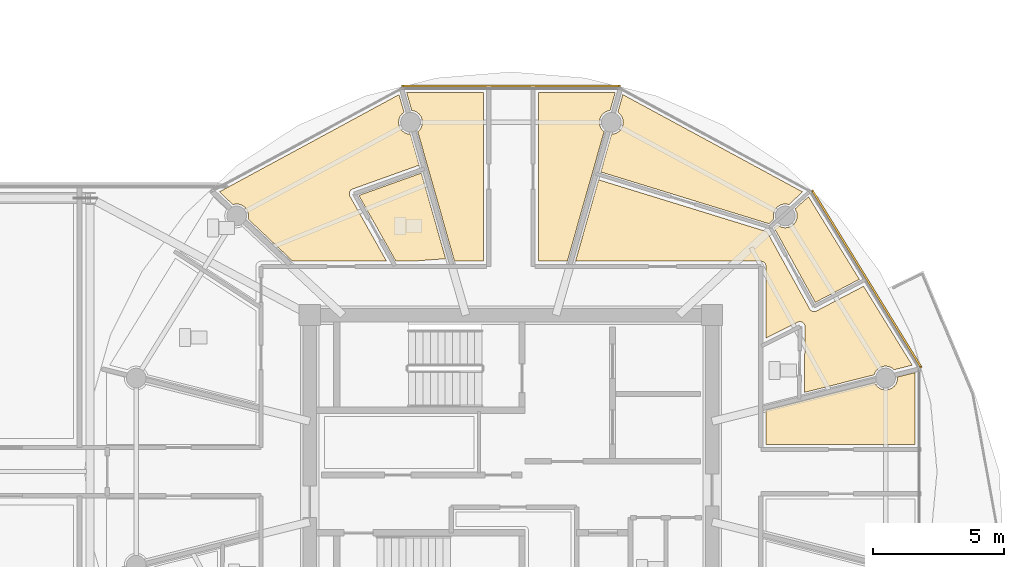
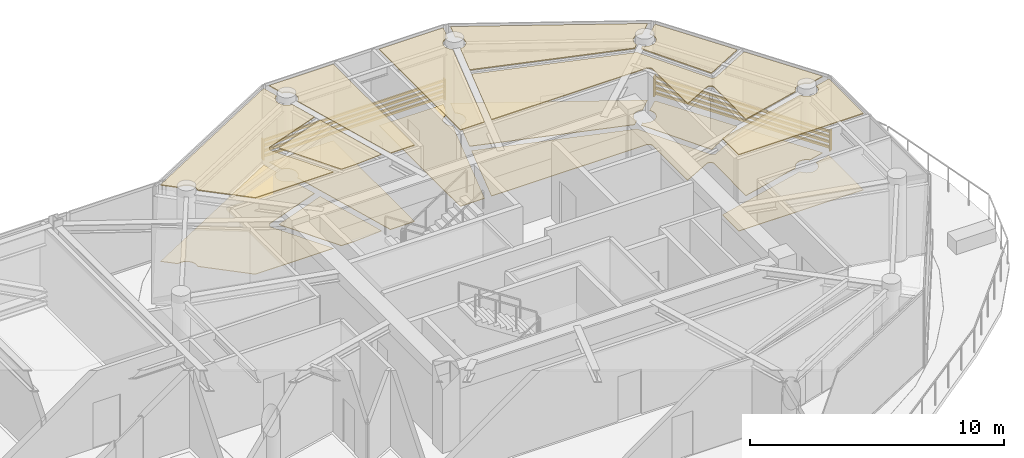
# One storey, part 29 of 31: 16 coverings, 2 shading devices.
"""IFC4 building model written with IfcOpenShell, lengths in metres."""

import ifcopenshell
import ifcopenshell.guid

model = None  # the IFC model being written
_history = None  # IfcOwnerHistory: only IFC2X3 demands one
_inside = {}  # id of a spatial element -> (the spatial element, [elements in it])
_under = {}  # id of a project, library or spatial element -> (it, [spatial elements below it])
_declared = {}  # id of a project -> (the project, [libraries it declares])
_typed = {}  # id of a type object -> (the type object, [elements of that type])
_made_of = {}  # id of a material, layer set ... -> (it, [elements and type objects made of it])


def new_model(schema):
    """Start an empty IFC model of exactly this schema.

    Asked for "IFC4X3", IfcOpenShell would pick the latest addendum, in which some entities
    have other attributes; the version numbers below select the first issue.
    IFC2X3 requires an IfcOwnerHistory on every rooted entity: one is made here for all.
    """
    global model, _history
    if schema == "IFC4X3":
        model = ifcopenshell.file(schema_version=(4, 3, 0, 0))
    else:
        model = ifcopenshell.file(schema=schema)
    _inside.clear()
    _under.clear()
    _declared.clear()
    _typed.clear()
    _made_of.clear()
    _history = None
    if model.schema == "IFC2X3":
        org = make("IfcOrganization", Name="unknown")
        user = make(
            "IfcPersonAndOrganization",
            ThePerson=make("IfcPerson", FamilyName="unknown"),
            TheOrganization=org,
        )
        app = make(
            "IfcApplication",
            ApplicationDeveloper=org,
            Version="unknown",
            ApplicationFullName="unknown",
            ApplicationIdentifier="unknown",
        )
        _history = make(
            "IfcOwnerHistory",
            OwningUser=user,
            OwningApplication=app,
            ChangeAction="ADDED",
            CreationDate=0,
        )
    return model


def make(cls, **values):
    """One entity of the class cls with the attributes given. An attribute that is None is left unset."""
    return model.create_entity(
        cls, **{name: value for name, value in values.items() if value is not None}
    )


def rooted(cls, **values):
    """An entity with a GlobalId (a new one), such as an element, a storey or a relation."""
    return make(cls, GlobalId=ifcopenshell.guid.new(), OwnerHistory=_history, **values)


def si_unit(unit_type, name, prefix=None):
    """IfcSIUnit, for example si_unit("LENGTHUNIT", "METRE", prefix="MILLI")."""
    return make("IfcSIUnit", UnitType=unit_type, Prefix=prefix, Name=name)


def assignment(units):
    """IfcUnitAssignment: the units of a project."""
    return None if units is None else make("IfcUnitAssignment", Units=units)


def point(xyz):
    """IfcCartesianPoint."""
    return None if xyz is None else make("IfcCartesianPoint", Coordinates=xyz)


def direction(xyz):
    """IfcDirection."""
    return None if xyz is None else make("IfcDirection", DirectionRatios=xyz)


def frame(location, z_axis=None, x_axis=None):
    """IfcAxis2Placement3D, a coordinate frame: its origin and axes. An axis left out is left unset."""
    return make(
        "IfcAxis2Placement3D",
        Location=point(location),
        Axis=direction(z_axis),
        RefDirection=direction(x_axis),
    )


def frame_2d(location, x_axis=None):
    """IfcAxis2Placement2D, a coordinate frame in the plane: its origin and x axis."""
    return make(
        "IfcAxis2Placement2D", Location=point(location), RefDirection=direction(x_axis)
    )


def origin():
    """The frame at (0, 0, 0) with its axes left unset."""
    return frame((0.0, 0.0, 0.0))


def origin_2d():
    """The frame at (0, 0) in the plane with its x axis left unset."""
    return frame_2d((0.0, 0.0))


def place(relative_to, where):
    """IfcLocalPlacement: puts the frame where relative to a parent placement (None: the world)."""
    return make(
        "IfcLocalPlacement", PlacementRelTo=relative_to, RelativePlacement=where
    )


def context(
    kind, dimensions, precision=None, world=None, true_north=None, identifier=None
):
    """IfcGeometricRepresentationContext, for example the 3D "Model" context."""
    return make(
        "IfcGeometricRepresentationContext",
        ContextIdentifier=identifier,
        ContextType=kind,
        CoordinateSpaceDimension=dimensions,
        Precision=precision,
        WorldCoordinateSystem=world,
        TrueNorth=true_north,
    )


def subcontext(parent, identifier, kind, view, scale=None):
    """IfcGeometricRepresentationSubContext, for example "Body" below "Model"."""
    return make(
        "IfcGeometricRepresentationSubContext",
        ContextIdentifier=identifier,
        ContextType=kind,
        ParentContext=parent,
        TargetScale=scale,
        TargetView=view,
    )


def project(units=None, contexts=None):
    """IfcProject with its units and contexts."""
    return rooted(
        "IfcProject",
        Name="project",
        RepresentationContexts=contexts,
        UnitsInContext=assignment(units),
    )


def spatial(cls, under=None, at=None, **own):
    """A site, building, storey or space (cls), placed at a placement, below another one or the project."""
    s = rooted(cls, ObjectPlacement=at, **own)
    if under is not None:
        _under.setdefault(under.id(), (under, []))[1].append(s)
    return s


def polyline(points):
    """IfcPolyline through the points."""
    return make("IfcPolyline", Points=[point(p) for p in points])


def profile(cls, at=None, kind="AREA", **sizes):
    """A parametric profile (cls). Its sizes go by their IFC names, for example OverallWidth=200.0."""
    return make(cls, ProfileType=kind, Position=at, **sizes)


def rectangle(**sizes):
    """IfcRectangleProfileDef."""
    return profile("IfcRectangleProfileDef", **sizes)


def outline(outer, holes=None, kind="AREA"):
    """IfcArbitraryClosedProfileDef: a profile drawn as a closed curve; with holes, ...WithVoids."""
    if holes is None:
        return make("IfcArbitraryClosedProfileDef", ProfileType=kind, OuterCurve=outer)
    return make(
        "IfcArbitraryProfileDefWithVoids",
        ProfileType=kind,
        OuterCurve=outer,
        InnerCurves=holes,
    )


def extrude(swept, where, along, depth):
    """IfcExtrudedAreaSolid: the profile swept, set in the frame where, extruded along a direction by depth."""
    return make(
        "IfcExtrudedAreaSolid",
        SweptArea=swept,
        Position=where,
        ExtrudedDirection=direction(along),
        Depth=depth,
    )


def shape(context_of_items, identifier, shape_type, items):
    """IfcShapeRepresentation: the items that make up one representation, for example the "Body"."""
    return make(
        "IfcShapeRepresentation",
        ContextOfItems=context_of_items,
        RepresentationIdentifier=identifier,
        RepresentationType=shape_type,
        Items=items,
    )


def source(mapping_origin, context_of_items, identifier, shape_type, items):
    """IfcRepresentationMap: a shape defined once, which mapped items show again and again."""
    return make(
        "IfcRepresentationMap",
        MappingOrigin=mapping_origin,
        MappedRepresentation=shape(context_of_items, identifier, shape_type, items),
    )


def transform(
    local_origin,
    x_axis=None,
    y_axis=None,
    z_axis=None,
    scale=None,
    scale2=None,
    scale3=None,
    uniform=True,
):
    """IfcCartesianTransformationOperator3D, or its non-uniform kind. x_axis, y_axis, z_axis: its Axis1, 2, 3."""
    if uniform:
        return make(
            "IfcCartesianTransformationOperator3D",
            Axis1=direction(x_axis),
            Axis2=direction(y_axis),
            LocalOrigin=point(local_origin),
            Scale=scale,
            Axis3=direction(z_axis),
        )
    return make(
        "IfcCartesianTransformationOperator3DnonUniform",
        Axis1=direction(x_axis),
        Axis2=direction(y_axis),
        LocalOrigin=point(local_origin),
        Scale=scale,
        Axis3=direction(z_axis),
        Scale2=scale2,
        Scale3=scale3,
    )


def mapped(mapping_source, mapping_target):
    """IfcMappedItem: shows the shape of a source again, moved by a transform."""
    return make(
        "IfcMappedItem", MappingSource=mapping_source, MappingTarget=mapping_target
    )


def material(Name=None, Category=None):
    """IfcMaterial."""
    return make("IfcMaterial", Name=Name, Category=Category)


def layer(
    of_material, thickness, ventilated=None, Name=None, Category=None, Priority=None
):
    """IfcMaterialLayer: one layer of a wall or slab, of a material (None: an air gap)."""
    return make(
        "IfcMaterialLayer",
        Material=of_material,
        LayerThickness=thickness,
        IsVentilated=ventilated,
        Name=Name,
        Category=Category,
        Priority=Priority,
    )


def layer_set(layers, Name=None):
    """IfcMaterialLayerSet."""
    return make("IfcMaterialLayerSet", MaterialLayers=layers, LayerSetName=Name)


def made_of(thing, what):
    """Note that an element or type object is made of a material, layer set ...; save() writes the relation."""
    if what is not None:
        _made_of.setdefault(what.id(), (what, []))[1].append(thing)
    return thing


def type_object(cls, material=None, **own):
    """A type object (cls), such as IfcWallType, which elements share."""
    return made_of(rooted(cls, **own), material)


def type_shapes(of_type, sources):
    """Give a type object the sources (RepresentationMaps) that its elements show as mapped items."""
    of_type.RepresentationMaps = sources


def element(
    cls,
    number,
    at=None,
    inside=None,
    cuts=None,
    type_object=None,
    material=None,
    context=None,
    identifier="Body",
    shape_type=None,
    held_by="IfcProductDefinitionShape",
    body=None,
    shapes=None,
    **own,
):
    """One element of the class cls, such as IfcWall. Its Tag is "e" and its number.

    at: its placement. inside: the storey or other place that contains it. cuts: it is an
    opening in that element (IfcRelVoidsElement). A single representation is given by context,
    identifier, shape_type and body (its items); several are given by shapes. held_by: the class
    of the entity that holds the representations. save() writes the other relations.
    """
    e = rooted(cls, Tag="e%d" % number, ObjectPlacement=at, **own)
    if body is not None:
        shapes = [shape(context, identifier, shape_type, body)]
    if shapes is not None:
        e.Representation = make(held_by, Representations=shapes)
    if inside is not None:
        _inside.setdefault(inside.id(), (inside, []))[1].append(e)
    if cuts is not None:
        rooted(
            "IfcRelVoidsElement", RelatingBuildingElement=cuts, RelatedOpeningElement=e
        )
    if type_object is not None:
        _typed.setdefault(type_object.id(), (type_object, []))[1].append(e)
    return made_of(e, material)


def aggregate(whole, parts):
    """IfcRelAggregates: a whole, such as a stair, and the parts it consists of."""
    return rooted("IfcRelAggregates", RelatingObject=whole, RelatedObjects=parts)


def save(model, path):
    """Write the relations noted so far, then the file.

    IfcRelAggregates (storeys below a building ...), IfcRelContainedInSpatialStructure (elements
    in a storey), IfcRelDefinesByType, IfcRelAssociatesMaterial and IfcRelDeclares: one each for
    every whole, place, type object, material and project.
    """
    for whole, parts in _under.values():
        aggregate(whole, parts)
    for where, things in _inside.values():
        rooted(
            "IfcRelContainedInSpatialStructure",
            RelatedElements=things,
            RelatingStructure=where,
        )
    for kind, things in _typed.values():
        rooted("IfcRelDefinesByType", RelatedObjects=things, RelatingType=kind)
    for what, things in _made_of.values():
        rooted("IfcRelAssociatesMaterial", RelatedObjects=things, RelatingMaterial=what)
    for by, libraries in _declared.values():
        rooted("IfcRelDeclares", RelatingContext=by, RelatedDefinitions=libraries)
    model.write(path)


model = new_model("IFC4")

# Units and contexts
model_context = context("Model", 3, precision=1e-05, world=origin(), true_north=direction((0.0, 1.0)))
body_context = subcontext(model_context, "Body", "Model", "MODEL_VIEW")
ifc_project = project(units=[si_unit("LENGTHUNIT", "METRE"), si_unit("AREAUNIT", "SQUARE_METRE"), si_unit("VOLUMEUNIT", "CUBIC_METRE"), si_unit("PLANEANGLEUNIT", "RADIAN"), si_unit("MASSUNIT", "GRAM", prefix="KILO")], contexts=[model_context])

# Site, building, storey
site_placement = place(None, origin())
site = spatial("IfcSite", under=ifc_project, at=site_placement, CompositionType="ELEMENT")
building_placement = place(site_placement, origin())
building = spatial("IfcBuilding", under=site, at=building_placement, Name="Norrkilde Senior Care Towers", CompositionType="ELEMENT")
storey_placement = place(building_placement, frame((0.0, 0.0, 199.800048828125)))
storey = spatial("IfcBuildingStorey", under=building, at=storey_placement, Name="L62", CompositionType="ELEMENT", Elevation=199.800048828125)

# Coverings
ifc_material_1 = material(Name="Nordic Ash Timber", Category="wood")
ifc_layer_1 = layer(ifc_material_1, 0.044921875)
ifc_layer_set_1 = layer_set([ifc_layer_1], Name="Nordic Ash Timber")
covering_type_1 = type_object("IfcCoveringType", Name="Acoustic Ash Timber Slatted Ceiling 45", PredefinedType="CEILING", material=ifc_layer_set_1)
covering_1_placement = place(storey_placement, frame((0.0, 0.0, 3.6650390625)))
element("IfcCovering", 1, at=covering_1_placement, inside=storey, type_object=covering_type_1, Name="L62 Suspended Ceiling 0397", PredefinedType="CEILING", context=body_context, shape_type="SweptSolid", body=[
    extrude(outline(polyline([(26.9599609375, 14.407470703125), (26.9599609375, 8.0), (25.855224609375, 8.0), (24.458251953125, 12.924560546875), (24.504150390625, 12.959716796875), (24.576416015625, 13.053955078125), (24.621826171875, 13.163818359375), (24.637451171875, 13.281494140625), (24.621826171875, 13.399169921875), (24.576416015625, 13.509033203125), (24.504150390625, 13.603271484375), (24.409912109375, 13.675537109375), (24.30029296875, 13.720947265625), (24.229736328125, 13.730224609375), (24.03759765625, 14.407470703125), (26.9599609375, 14.407470703125)])), origin(), (0.0, 0.0, 1.0), 0.044921875),
])
covering_2_placement = place(storey_placement, frame((0.0, 0.0, 3.6650390625)))
element("IfcCovering", 2, at=covering_2_placement, inside=storey, type_object=covering_type_1, Name="L62 Suspended Ceiling 0398", PredefinedType="CEILING", context=body_context, shape_type="SweptSolid", body=[
    extrude(outline(polyline([(31.96240234375, 14.407470703125), (31.770263671875, 13.730224609375), (31.69970703125, 13.720947265625), (31.590087890625, 13.675537109375), (31.495849609375, 13.603271484375), (31.423583984375, 13.509033203125), (31.378173828125, 13.399169921875), (31.362548828125, 13.281494140625), (31.378173828125, 13.163818359375), (31.423583984375, 13.053955078125), (31.495849609375, 12.959716796875), (31.541748046875, 12.924560546875), (30.144775390625, 8.0), (29.0400390625, 8.0), (29.0400390625, 14.407470703125), (31.96240234375, 14.407470703125)])), origin(), (0.0, 0.0, 1.0), 0.044921875),
])
covering_3_placement = place(storey_placement, frame((0.0, 0.0, 3.6650390625)))
element("IfcCovering", 3, at=covering_3_placement, inside=storey, type_object=covering_type_1, Name="L62 Suspended Ceiling 0400", PredefinedType="CEILING", context=body_context, shape_type="SweptSolid", body=[
    extrude(outline(polyline([(43.37353515625, 1.0400390625), (37.699951171875, 1.0400390625), (37.699951171875, 2.331298828125), (41.834228515625, 3.377685546875), (41.853271484375, 3.331298828125), (41.92578125, 3.237060546875), (42.02001953125, 3.164794921875), (42.129638671875, 3.119384765625), (42.247314453125, 3.103759765625), (42.365234375, 3.119384765625), (42.474853515625, 3.164794921875), (42.569091796875, 3.237060546875), (42.641357421875, 3.331298828125), (42.68701171875, 3.44091796875), (42.702392578125, 3.558837890625), (42.697509765625, 3.59619140625), (43.37353515625, 3.76708984375), (43.37353515625, 1.0400390625)])), origin(), (0.0, 0.0, 1.0), 0.044921875),
])
covering_4_placement = place(storey_placement, frame((0.0, 0.0, 3.6650390625)))
element("IfcCovering", 4, at=covering_4_placement, inside=storey, type_object=covering_type_1, Name="L62 Suspended Ceiling 0401", PredefinedType="CEILING", context=body_context, shape_type="SweptSolid", body=[
    extrude(outline(polyline([(39.180419921875, 5.552978515625), (39.1787109375, 5.5595703125), (39.175537109375, 5.57080078125), (39.17333984375, 5.577392578125), (39.1689453125, 5.588134765625), (39.166259765625, 5.594482421875), (39.160888671875, 5.604736328125), (39.157470703125, 5.610595703125), (39.151123046875, 5.62060546875), (39.14697265625, 5.6259765625), (39.139892578125, 5.63525390625), (39.13525390625, 5.640380859375), (39.127197265625, 5.648681640625), (39.122314453125, 5.653564453125), (39.11328125, 5.6611328125), (39.10791015625, 5.665283203125), (39.098388671875, 5.671875), (39.092529296875, 5.675537109375), (39.082275390625, 5.68115234375), (39.076171875, 5.684326171875), (39.0654296875, 5.68896484375), (39.05908203125, 5.69140625), (39.048095703125, 5.695068359375), (39.04150390625, 5.69677734375), (39.030029296875, 5.69921875), (39.023193359375, 5.700439453125), (39.01171875, 5.701904296875), (39.0048828125, 5.702392578125), (38.9931640625, 5.70263671875), (38.986328125, 5.702392578125), (38.974609375, 5.70166015625), (38.968017578125, 5.70068359375), (38.956298828125, 5.69873046875), (38.94970703125, 5.697265625), (38.9384765625, 5.694091796875), (38.931884765625, 5.69189453125), (38.921142578125, 5.687744140625), (38.914794921875, 5.68505859375), (38.909423828125, 5.6826171875), (37.699951171875, 5.076171875), (37.699951171875, 7.800048828125), (37.699951171875, 7.805908203125), (37.699462890625, 7.813720703125), (37.6982421875, 7.825439453125), (37.697265625, 7.833251953125), (37.69482421875, 7.8447265625), (37.69287109375, 7.852294921875), (37.689453125, 7.86376953125), (37.68701171875, 7.87109375), (37.682373046875, 7.8818359375), (37.678955078125, 7.888916015625), (37.673583984375, 7.8994140625), (37.66943359375, 7.90625), (37.662841796875, 7.916015625), (37.658203125, 7.92236328125), (37.65087890625, 7.931396484375), (37.6455078125, 7.937255859375), (37.63720703125, 7.945556640625), (37.63134765625, 7.95068359375), (37.622314453125, 7.958251953125), (37.615966796875, 7.962890625), (37.606201171875, 7.969482421875), (37.599365234375, 7.973388671875), (37.589111328125, 7.97900390625), (37.58203125, 7.982421875), (37.571044921875, 7.98681640625), (37.563720703125, 7.989501953125), (37.552490234375, 7.992919921875), (37.544677734375, 7.994873046875), (37.533203125, 7.9970703125), (37.525390625, 7.998291015625), (37.513671875, 7.99951171875), (37.505859375, 7.999755859375), (37.5, 8.0), (30.45654296875, 8.0), (31.33447265625, 11.094970703125), (37.73388671875, 9.12353515625), (39.359130859375, 6.182861328125), (39.362060546875, 6.177978515625), (39.36572265625, 6.172119140625), (39.372314453125, 6.16259765625), (39.376220703125, 6.1572265625), (39.3837890625, 6.1484375), (39.388427734375, 6.143310546875), (39.396728515625, 6.13525390625), (39.401611328125, 6.130615234375), (39.41064453125, 6.12353515625), (39.416259765625, 6.119384765625), (39.426025390625, 6.113037109375), (39.431884765625, 6.109619140625), (39.442138671875, 6.104248046875), (39.4482421875, 6.101318359375), (39.458984375, 6.096923828125), (39.46533203125, 6.0947265625), (39.476318359375, 6.09130859375), (39.48291015625, 6.089599609375), (39.494384765625, 6.08740234375), (39.5009765625, 6.08642578125), (39.5126953125, 6.08544921875), (39.51953125, 6.0849609375), (39.531005859375, 6.0849609375), (39.537841796875, 6.085205078125), (39.54931640625, 6.08642578125), (39.55615234375, 6.08740234375), (39.5673828125, 6.089599609375), (39.573974609375, 6.09130859375), (39.585205078125, 6.094482421875), (39.591552734375, 6.0966796875), (39.602294921875, 6.10107421875), (39.6083984375, 6.10400390625), (39.613525390625, 6.1064453125), (41.40966796875, 7.0478515625), (43.25732421875, 4.04736328125), (42.573974609375, 3.874267578125), (42.569091796875, 3.880615234375), (42.474853515625, 3.952880859375), (42.365234375, 3.998291015625), (42.247314453125, 4.013671875), (42.129638671875, 3.998291015625), (42.02001953125, 3.952880859375), (41.92578125, 3.880615234375), (41.853271484375, 3.786376953125), (41.809814453125, 3.680908203125), (39.15478515625, 3.0087890625), (39.1845703125, 5.510498046875), (39.1845703125, 5.516357421875), (39.184326171875, 5.523193359375), (39.183349609375, 5.53466796875), (39.182373046875, 5.54150390625), (39.180419921875, 5.552978515625)])), origin(), (0.0, 0.0, 1.0), 0.044921875),
])
covering_5_placement = place(storey_placement, frame((0.0, 0.0, 3.6650390625)))
element("IfcCovering", 5, at=covering_5_placement, inside=storey, type_object=covering_type_1, Name="L62 Suspended Ceiling 0402", PredefinedType="CEILING", context=body_context, shape_type="SweptSolid", body=[
    extrude(outline(polyline([(39.57373046875, 6.435546875), (38.0078125, 9.26953125), (38.13232421875, 9.38232421875), (38.202392578125, 9.32861328125), (38.31201171875, 9.283203125), (38.429931640625, 9.267822265625), (38.547607421875, 9.283203125), (38.6572265625, 9.32861328125), (38.75146484375, 9.40087890625), (38.823974609375, 9.4951171875), (38.869384765625, 9.60498046875), (38.884765625, 9.72265625), (38.869384765625, 9.840576171875), (38.823974609375, 9.9501953125), (38.797607421875, 9.984375), (39.31396484375, 10.45166015625), (41.246826171875, 7.3125), (39.57373046875, 6.435546875)])), origin(), (0.0, 0.0, 1.0), 0.044921875),
])
covering_6_placement = place(storey_placement, frame((0.0, 0.0, 3.6650390625)))
element("IfcCovering", 6, at=covering_6_placement, inside=storey, type_object=covering_type_1, Name="L62 Suspended Ceiling 0403", PredefinedType="CEILING", context=body_context, shape_type="SweptSolid", body=[
    extrude(outline(polyline([(38.57275390625, 10.15185546875), (38.547607421875, 10.162109375), (38.429931640625, 10.177734375), (38.31201171875, 10.162109375), (38.202392578125, 10.11669921875), (38.108154296875, 10.04443359375), (38.035888671875, 9.9501953125), (37.990234375, 9.840576171875), (37.974853515625, 9.72265625), (37.990234375, 9.60498046875), (37.9912109375, 9.6025390625), (37.8046875, 9.42626953125), (31.419189453125, 11.393310546875), (31.825927734375, 12.82763671875), (31.935302734375, 12.842041015625), (32.045166015625, 12.887451171875), (32.139404296875, 12.959716796875), (32.211669921875, 13.053955078125), (32.257080078125, 13.163818359375), (32.2724609375, 13.281494140625), (32.257080078125, 13.399169921875), (32.211669921875, 13.509033203125), (32.139404296875, 13.603271484375), (32.062744140625, 13.662109375), (32.253662109375, 14.335693359375), (39.08642578125, 10.636962890625), (38.57275390625, 10.15185546875)])), origin(), (0.0, 0.0, 1.0), 0.044921875),
])
covering_7_placement = place(storey_placement, frame((0.0, 0.0, 3.6650390625)))
element("IfcCovering", 7, at=covering_7_placement, inside=storey, type_object=covering_type_1, Name="L62 Suspended Ceiling 0404", PredefinedType="CEILING", context=body_context, shape_type="SweptSolid", body=[
    extrude(outline(polyline([(21.9404296875, 10.7255859375), (21.934814453125, 10.7216796875), (21.925537109375, 10.71484375), (21.920166015625, 10.710693359375), (21.91162109375, 10.702880859375), (21.90673828125, 10.6982421875), (21.89892578125, 10.689697265625), (21.89453125, 10.684326171875), (21.8876953125, 10.675048828125), (21.8837890625, 10.66943359375), (21.877685546875, 10.65966796875), (21.87451171875, 10.65380859375), (21.869384765625, 10.643310546875), (21.86669921875, 10.63720703125), (21.86279296875, 10.626220703125), (21.860595703125, 10.619873046875), (21.857666015625, 10.608642578125), (21.856201171875, 10.60205078125), (21.8544921875, 10.590576171875), (21.853515625, 10.583740234375), (21.852783203125, 10.572265625), (21.852783203125, 10.5654296875), (21.85302734375, 10.553955078125), (21.853515625, 10.547119140625), (21.85498046875, 10.53564453125), (21.856201171875, 10.529052734375), (21.85888671875, 10.517578125), (21.860595703125, 10.51123046875), (21.8642578125, 10.500244140625), (21.86669921875, 10.493896484375), (21.871337890625, 10.483154296875), (21.87451171875, 10.47705078125), (21.877197265625, 10.471923828125), (23.27099609375, 8.0), (19.705322265625, 8.0), (18.0087890625, 9.6025390625), (18.009765625, 9.60498046875), (18.025146484375, 9.72265625), (18.009765625, 9.840576171875), (17.964111328125, 9.9501953125), (17.891845703125, 10.04443359375), (17.797607421875, 10.11669921875), (17.68798828125, 10.162109375), (17.570068359375, 10.177734375), (17.452392578125, 10.162109375), (17.42724609375, 10.15185546875), (16.91357421875, 10.636962890625), (23.746337890625, 14.335693359375), (23.937255859375, 13.662109375), (23.860595703125, 13.603271484375), (23.788330078125, 13.509033203125), (23.742919921875, 13.399169921875), (23.7275390625, 13.281494140625), (23.742919921875, 13.163818359375), (23.788330078125, 13.053955078125), (23.860595703125, 12.959716796875), (23.954833984375, 12.887451171875), (24.064697265625, 12.842041015625), (24.174072265625, 12.82763671875), (24.508056640625, 11.650634765625), (21.978515625, 10.744140625), (21.97314453125, 10.7421875), (21.966796875, 10.739501953125), (21.956298828125, 10.734619140625), (21.950439453125, 10.7314453125), (21.9404296875, 10.7255859375)])), origin(), (0.0, 0.0, 1.0), 0.044921875),
])
ifc_material_2 = material(Name="Gypsum Acoustic Board")
ifc_layer_2 = layer(ifc_material_2, 0.030029296875)
ifc_layer_set_2 = layer_set([ifc_layer_2], Name="Gypsum Acoustic Board")
covering_type_2 = type_object("IfcCoveringType", Name="Medical Cleanable Gypsum Ceiling 30", PredefinedType="CEILING", material=ifc_layer_set_2)
covering_8_placement = place(storey_placement, frame((0.0, 0.0, 3.679931640625)))
element("IfcCovering", 8, at=covering_8_placement, inside=storey, type_object=covering_type_2, Name="L62 Suspended Ceiling 0405", PredefinedType="CEILING", context=body_context, shape_type="SweptSolid", body=[
    extrude(outline(polyline([(22.217041015625, 10.50048828125), (24.5927734375, 11.3515625), (25.516357421875, 8.095458984375), (24.24609375, 8.0), (23.626953125, 8.0), (22.217041015625, 10.50048828125)])), origin(), (0.0, 0.0, 1.0), 0.030029296875),
])
ifc_material_3 = material(Name="Slip-Resistant Porcelain Stone", Category="masonry")
ifc_layer_3 = layer(ifc_material_3, 0.02490234375)
ifc_layer_set_3 = layer_set([ifc_layer_3], Name="Slip-Resistant Porcelain Stone")
covering_type_3 = type_object("IfcCoveringType", Name="Slip-Resistant Porcelain Flooring 25", PredefinedType="FLOORING", material=ifc_layer_set_3)
covering_9_placement = place(storey_placement, origin())
element("IfcCovering", 9, at=covering_9_placement, inside=storey, type_object=covering_type_3, Name="L62 Floor Finish 0397", PredefinedType="FLOORING", context=body_context, shape_type="SweptSolid", body=[
    extrude(outline(polyline([(26.9599609375, 14.407470703125), (26.9599609375, 8.0), (25.855224609375, 8.0), (24.458251953125, 12.924560546875), (24.504150390625, 12.959716796875), (24.576416015625, 13.053955078125), (24.621826171875, 13.163818359375), (24.637451171875, 13.281494140625), (24.621826171875, 13.399169921875), (24.576416015625, 13.509033203125), (24.504150390625, 13.603271484375), (24.409912109375, 13.675537109375), (24.30029296875, 13.720947265625), (24.229736328125, 13.730224609375), (24.03759765625, 14.407470703125), (26.9599609375, 14.407470703125)])), origin(), (0.0, 0.0, 1.0), 0.02490234375),
])
covering_10_placement = place(storey_placement, origin())
element("IfcCovering", 10, at=covering_10_placement, inside=storey, type_object=covering_type_3, Name="L62 Floor Finish 0398", PredefinedType="FLOORING", context=body_context, shape_type="SweptSolid", body=[
    extrude(outline(polyline([(31.96240234375, 14.407470703125), (31.770263671875, 13.730224609375), (31.69970703125, 13.720947265625), (31.590087890625, 13.675537109375), (31.495849609375, 13.603271484375), (31.423583984375, 13.509033203125), (31.378173828125, 13.399169921875), (31.362548828125, 13.281494140625), (31.378173828125, 13.163818359375), (31.423583984375, 13.053955078125), (31.495849609375, 12.959716796875), (31.541748046875, 12.924560546875), (30.144775390625, 8.0), (29.0400390625, 8.0), (29.0400390625, 14.407470703125), (31.96240234375, 14.407470703125)])), origin(), (0.0, 0.0, 1.0), 0.02490234375),
])
covering_11_placement = place(storey_placement, origin())
element("IfcCovering", 11, at=covering_11_placement, inside=storey, type_object=covering_type_3, Name="L62 Floor Finish 0400", PredefinedType="FLOORING", context=body_context, shape_type="SweptSolid", body=[
    extrude(outline(polyline([(43.37353515625, 1.0400390625), (37.699951171875, 1.0400390625), (37.699951171875, 2.331298828125), (41.834228515625, 3.377685546875), (41.853271484375, 3.331298828125), (41.92578125, 3.237060546875), (42.02001953125, 3.164794921875), (42.129638671875, 3.119384765625), (42.247314453125, 3.103759765625), (42.365234375, 3.119384765625), (42.474853515625, 3.164794921875), (42.569091796875, 3.237060546875), (42.641357421875, 3.331298828125), (42.68701171875, 3.44091796875), (42.702392578125, 3.558837890625), (42.697509765625, 3.59619140625), (43.37353515625, 3.76708984375), (43.37353515625, 1.0400390625)])), origin(), (0.0, 0.0, 1.0), 0.02490234375),
])
covering_12_placement = place(storey_placement, origin())
element("IfcCovering", 12, at=covering_12_placement, inside=storey, type_object=covering_type_3, Name="L62 Floor Finish 0401", PredefinedType="FLOORING", context=body_context, shape_type="SweptSolid", body=[
    extrude(outline(polyline([(39.180419921875, 5.552978515625), (39.1787109375, 5.5595703125), (39.175537109375, 5.57080078125), (39.17333984375, 5.577392578125), (39.1689453125, 5.588134765625), (39.166259765625, 5.594482421875), (39.160888671875, 5.604736328125), (39.157470703125, 5.610595703125), (39.151123046875, 5.62060546875), (39.14697265625, 5.6259765625), (39.139892578125, 5.63525390625), (39.13525390625, 5.640380859375), (39.127197265625, 5.648681640625), (39.122314453125, 5.653564453125), (39.11328125, 5.6611328125), (39.10791015625, 5.665283203125), (39.098388671875, 5.671875), (39.092529296875, 5.675537109375), (39.082275390625, 5.68115234375), (39.076171875, 5.684326171875), (39.0654296875, 5.68896484375), (39.05908203125, 5.69140625), (39.048095703125, 5.695068359375), (39.04150390625, 5.69677734375), (39.030029296875, 5.69921875), (39.023193359375, 5.700439453125), (39.01171875, 5.701904296875), (39.0048828125, 5.702392578125), (38.9931640625, 5.70263671875), (38.986328125, 5.702392578125), (38.974609375, 5.70166015625), (38.968017578125, 5.70068359375), (38.956298828125, 5.69873046875), (38.94970703125, 5.697265625), (38.9384765625, 5.694091796875), (38.931884765625, 5.69189453125), (38.921142578125, 5.687744140625), (38.914794921875, 5.68505859375), (38.909423828125, 5.6826171875), (37.699951171875, 5.076171875), (37.699951171875, 7.800048828125), (37.699951171875, 7.805908203125), (37.699462890625, 7.813720703125), (37.6982421875, 7.825439453125), (37.697265625, 7.833251953125), (37.69482421875, 7.8447265625), (37.69287109375, 7.852294921875), (37.689453125, 7.86376953125), (37.68701171875, 7.87109375), (37.682373046875, 7.8818359375), (37.678955078125, 7.888916015625), (37.673583984375, 7.8994140625), (37.66943359375, 7.90625), (37.662841796875, 7.916015625), (37.658203125, 7.92236328125), (37.65087890625, 7.931396484375), (37.6455078125, 7.937255859375), (37.63720703125, 7.945556640625), (37.63134765625, 7.95068359375), (37.622314453125, 7.958251953125), (37.615966796875, 7.962890625), (37.606201171875, 7.969482421875), (37.599365234375, 7.973388671875), (37.589111328125, 7.97900390625), (37.58203125, 7.982421875), (37.571044921875, 7.98681640625), (37.563720703125, 7.989501953125), (37.552490234375, 7.992919921875), (37.544677734375, 7.994873046875), (37.533203125, 7.9970703125), (37.525390625, 7.998291015625), (37.513671875, 7.99951171875), (37.505859375, 7.999755859375), (37.5, 8.0), (30.45654296875, 8.0), (31.33447265625, 11.094970703125), (37.73388671875, 9.12353515625), (39.359130859375, 6.182861328125), (39.362060546875, 6.177978515625), (39.36572265625, 6.172119140625), (39.372314453125, 6.16259765625), (39.376220703125, 6.1572265625), (39.3837890625, 6.1484375), (39.388427734375, 6.143310546875), (39.396728515625, 6.13525390625), (39.401611328125, 6.130615234375), (39.41064453125, 6.12353515625), (39.416259765625, 6.119384765625), (39.426025390625, 6.113037109375), (39.431884765625, 6.109619140625), (39.442138671875, 6.104248046875), (39.4482421875, 6.101318359375), (39.458984375, 6.096923828125), (39.46533203125, 6.0947265625), (39.476318359375, 6.09130859375), (39.48291015625, 6.089599609375), (39.494384765625, 6.08740234375), (39.5009765625, 6.08642578125), (39.5126953125, 6.08544921875), (39.51953125, 6.0849609375), (39.531005859375, 6.0849609375), (39.537841796875, 6.085205078125), (39.54931640625, 6.08642578125), (39.55615234375, 6.08740234375), (39.5673828125, 6.089599609375), (39.573974609375, 6.09130859375), (39.585205078125, 6.094482421875), (39.591552734375, 6.0966796875), (39.602294921875, 6.10107421875), (39.6083984375, 6.10400390625), (39.613525390625, 6.1064453125), (41.40966796875, 7.0478515625), (43.25732421875, 4.04736328125), (42.573974609375, 3.874267578125), (42.569091796875, 3.880615234375), (42.474853515625, 3.952880859375), (42.365234375, 3.998291015625), (42.247314453125, 4.013671875), (42.129638671875, 3.998291015625), (42.02001953125, 3.952880859375), (41.92578125, 3.880615234375), (41.853271484375, 3.786376953125), (41.809814453125, 3.680908203125), (39.15478515625, 3.0087890625), (39.1845703125, 5.510498046875), (39.1845703125, 5.516357421875), (39.184326171875, 5.523193359375), (39.183349609375, 5.53466796875), (39.182373046875, 5.54150390625), (39.180419921875, 5.552978515625)])), origin(), (0.0, 0.0, 1.0), 0.02490234375),
])
covering_13_placement = place(storey_placement, origin())
element("IfcCovering", 13, at=covering_13_placement, inside=storey, type_object=covering_type_3, Name="L62 Floor Finish 0402", PredefinedType="FLOORING", context=body_context, shape_type="SweptSolid", body=[
    extrude(outline(polyline([(39.57373046875, 6.435546875), (38.0078125, 9.26953125), (38.13232421875, 9.38232421875), (38.202392578125, 9.32861328125), (38.31201171875, 9.283203125), (38.429931640625, 9.267822265625), (38.547607421875, 9.283203125), (38.6572265625, 9.32861328125), (38.75146484375, 9.40087890625), (38.823974609375, 9.4951171875), (38.869384765625, 9.60498046875), (38.884765625, 9.72265625), (38.869384765625, 9.840576171875), (38.823974609375, 9.9501953125), (38.797607421875, 9.984375), (39.31396484375, 10.45166015625), (41.246826171875, 7.3125), (39.57373046875, 6.435546875)])), origin(), (0.0, 0.0, 1.0), 0.02490234375),
])
covering_14_placement = place(storey_placement, origin())
element("IfcCovering", 14, at=covering_14_placement, inside=storey, type_object=covering_type_3, Name="L62 Floor Finish 0403", PredefinedType="FLOORING", context=body_context, shape_type="SweptSolid", body=[
    extrude(outline(polyline([(38.57275390625, 10.15185546875), (38.547607421875, 10.162109375), (38.429931640625, 10.177734375), (38.31201171875, 10.162109375), (38.202392578125, 10.11669921875), (38.108154296875, 10.04443359375), (38.035888671875, 9.9501953125), (37.990234375, 9.840576171875), (37.974853515625, 9.72265625), (37.990234375, 9.60498046875), (37.9912109375, 9.6025390625), (37.8046875, 9.42626953125), (31.419189453125, 11.393310546875), (31.825927734375, 12.82763671875), (31.935302734375, 12.842041015625), (32.045166015625, 12.887451171875), (32.139404296875, 12.959716796875), (32.211669921875, 13.053955078125), (32.257080078125, 13.163818359375), (32.2724609375, 13.281494140625), (32.257080078125, 13.399169921875), (32.211669921875, 13.509033203125), (32.139404296875, 13.603271484375), (32.062744140625, 13.662109375), (32.253662109375, 14.335693359375), (39.08642578125, 10.636962890625), (38.57275390625, 10.15185546875)])), origin(), (0.0, 0.0, 1.0), 0.02490234375),
])
covering_15_placement = place(storey_placement, origin())
element("IfcCovering", 15, at=covering_15_placement, inside=storey, type_object=covering_type_3, Name="L62 Floor Finish 0404", PredefinedType="FLOORING", context=body_context, shape_type="SweptSolid", body=[
    extrude(outline(polyline([(21.9404296875, 10.7255859375), (21.934814453125, 10.7216796875), (21.925537109375, 10.71484375), (21.920166015625, 10.710693359375), (21.91162109375, 10.702880859375), (21.90673828125, 10.6982421875), (21.89892578125, 10.689697265625), (21.89453125, 10.684326171875), (21.8876953125, 10.675048828125), (21.8837890625, 10.66943359375), (21.877685546875, 10.65966796875), (21.87451171875, 10.65380859375), (21.869384765625, 10.643310546875), (21.86669921875, 10.63720703125), (21.86279296875, 10.626220703125), (21.860595703125, 10.619873046875), (21.857666015625, 10.608642578125), (21.856201171875, 10.60205078125), (21.8544921875, 10.590576171875), (21.853515625, 10.583740234375), (21.852783203125, 10.572265625), (21.852783203125, 10.5654296875), (21.85302734375, 10.553955078125), (21.853515625, 10.547119140625), (21.85498046875, 10.53564453125), (21.856201171875, 10.529052734375), (21.85888671875, 10.517578125), (21.860595703125, 10.51123046875), (21.8642578125, 10.500244140625), (21.86669921875, 10.493896484375), (21.871337890625, 10.483154296875), (21.87451171875, 10.47705078125), (21.877197265625, 10.471923828125), (23.27099609375, 8.0), (19.705322265625, 8.0), (18.0087890625, 9.6025390625), (18.009765625, 9.60498046875), (18.025146484375, 9.72265625), (18.009765625, 9.840576171875), (17.964111328125, 9.9501953125), (17.891845703125, 10.04443359375), (17.797607421875, 10.11669921875), (17.68798828125, 10.162109375), (17.570068359375, 10.177734375), (17.452392578125, 10.162109375), (17.42724609375, 10.15185546875), (16.91357421875, 10.636962890625), (23.746337890625, 14.335693359375), (23.937255859375, 13.662109375), (23.860595703125, 13.603271484375), (23.788330078125, 13.509033203125), (23.742919921875, 13.399169921875), (23.7275390625, 13.281494140625), (23.742919921875, 13.163818359375), (23.788330078125, 13.053955078125), (23.860595703125, 12.959716796875), (23.954833984375, 12.887451171875), (24.064697265625, 12.842041015625), (24.174072265625, 12.82763671875), (24.508056640625, 11.650634765625), (21.978515625, 10.744140625), (21.97314453125, 10.7421875), (21.966796875, 10.739501953125), (21.956298828125, 10.734619140625), (21.950439453125, 10.7314453125), (21.9404296875, 10.7255859375)])), origin(), (0.0, 0.0, 1.0), 0.02490234375),
])
covering_16_placement = place(storey_placement, origin())
element("IfcCovering", 16, at=covering_16_placement, inside=storey, type_object=covering_type_3, Name="L62 Floor Finish 0405", PredefinedType="FLOORING", context=body_context, shape_type="SweptSolid", body=[
    extrude(outline(polyline([(22.217041015625, 10.50048828125), (24.5927734375, 11.3515625), (25.516357421875, 8.095458984375), (24.24609375, 8.0), (23.626953125, 8.0), (22.217041015625, 10.50048828125)])), origin(), (0.0, 0.0, 1.0), 0.02490234375),
])

# Shading devices
ifc_material_4 = material(Name="Architectural Terracotta", Category="masonry")
shading_device_type = type_object("IfcShadingDeviceType", Name="Horizontal Terracotta Baguette Rack", PredefinedType="USERDEFINED", material=ifc_material_4)
shared_shape_1 = source(origin(), body_context, "Body", "SweptSolid", [
    extrude(rectangle(XDim=0.070068359375, YDim=0.110107421875, at=origin_2d()), frame((0.0, 0.090087890625, 0.125), z_axis=(1.0, 0.0, 0.0), x_axis=(0.0, 1.0, 0.0)), (0.0, 0.0, 1.0), 7.938232421875),
    extrude(rectangle(XDim=0.070068359375, YDim=0.110107421875, at=origin_2d()), frame((0.0, 0.090087890625, 0.375), z_axis=(1.0, 0.0, 0.0), x_axis=(0.0, 1.0, 0.0)), (0.0, 0.0, 1.0), 7.938232421875),
    extrude(rectangle(XDim=0.070068359375, YDim=0.110107421875, at=origin_2d()), frame((0.0, 0.090087890625, 0.625), z_axis=(1.0, 0.0, 0.0), x_axis=(0.0, 1.0, 0.0)), (0.0, 0.0, 1.0), 7.938232421875),
    extrude(rectangle(XDim=0.070068359375, YDim=0.110107421875, at=origin_2d()), frame((0.0, 0.090087890625, 0.875), z_axis=(1.0, 0.0, 0.0), x_axis=(0.0, 1.0, 0.0)), (0.0, 0.0, 1.0), 7.938232421875),
    extrude(rectangle(XDim=0.050048828125, YDim=0.1552734375, at=origin_2d()), frame((0.02490234375, 0.047607421875, 0.0)), (0.0, 0.0, 1.0), 1.0),
    extrude(rectangle(XDim=0.050048828125, YDim=0.1552734375, at=origin_2d()), frame((7.9130859375, 0.047607421875, 0.0)), (0.0, 0.0, 1.0), 1.0),
])
shading_device_1_placement = place(storey_placement, frame((39.370361328125, 10.6630859375, 0.079833984375), z_axis=(0.0, 0.0, 1.0), x_axis=(0.524250345994, -0.851576195602, 0.0)))
element("IfcShadingDevice", 17, at=shading_device_1_placement, inside=storey, type_object=shading_device_type, Name="L62 Drum E Terracotta Baguette Screen 00", ObjectType="BAGUETTE", PredefinedType="USERDEFINED", context=body_context, shape_type="MappedRepresentation", body=[
    mapped(shared_shape_1, transform((0.0, 0.0, 0.0), x_axis=(1.0, 0.0, 0.0), y_axis=(0.0, 1.0, 0.0), z_axis=(0.0, 0.0, 1.0), scale=1.0)),
])
shared_shape_2 = source(origin(), body_context, "Body", "SweptSolid", [
    extrude(rectangle(XDim=0.070068359375, YDim=0.110107421875, at=origin_2d()), frame((0.0, 0.090087890625, 0.125), z_axis=(1.0, 0.0, 0.0), x_axis=(0.0, 1.0, 0.0)), (0.0, 0.0, 1.0), 8.32373046875),
    extrude(rectangle(XDim=0.070068359375, YDim=0.110107421875, at=origin_2d()), frame((0.0, 0.090087890625, 0.375), z_axis=(1.0, 0.0, 0.0), x_axis=(0.0, 1.0, 0.0)), (0.0, 0.0, 1.0), 8.32373046875),
    extrude(rectangle(XDim=0.070068359375, YDim=0.110107421875, at=origin_2d()), frame((0.0, 0.090087890625, 0.625), z_axis=(1.0, 0.0, 0.0), x_axis=(0.0, 1.0, 0.0)), (0.0, 0.0, 1.0), 8.32373046875),
    extrude(rectangle(XDim=0.070068359375, YDim=0.110107421875, at=origin_2d()), frame((0.0, 0.090087890625, 0.875), z_axis=(1.0, 0.0, 0.0), x_axis=(0.0, 1.0, 0.0)), (0.0, 0.0, 1.0), 8.32373046875),
    extrude(rectangle(XDim=0.050048828125, YDim=0.1552734375, at=origin_2d()), frame((0.02490234375, 0.047607421875, 0.0)), (0.0, 0.0, 1.0), 1.0),
    extrude(rectangle(XDim=0.050048828125, YDim=0.1552734375, at=origin_2d()), frame((8.298828125, 0.047607421875, 0.0)), (0.0, 0.0, 1.0), 1.0),
])
type_shapes(shading_device_type, [shared_shape_1, shared_shape_2])
shading_device_2_placement = place(storey_placement, frame((23.838134765625, 14.566162109375, 0.079833984375), z_axis=(0.0, 0.0, 1.0), x_axis=(1.0, 0.0, 0.0)))
element("IfcShadingDevice", 18, at=shading_device_2_placement, inside=storey, type_object=shading_device_type, Name="L62 Drum E Terracotta Baguette Screen 02", ObjectType="BAGUETTE", PredefinedType="USERDEFINED", context=body_context, shape_type="MappedRepresentation", body=[
    mapped(shared_shape_2, transform((0.0, 0.0, 0.0), x_axis=(1.0, 0.0, 0.0), y_axis=(0.0, 1.0, 0.0), z_axis=(0.0, 0.0, 1.0), scale=1.0)),
])

save(model, "model.ifc")
